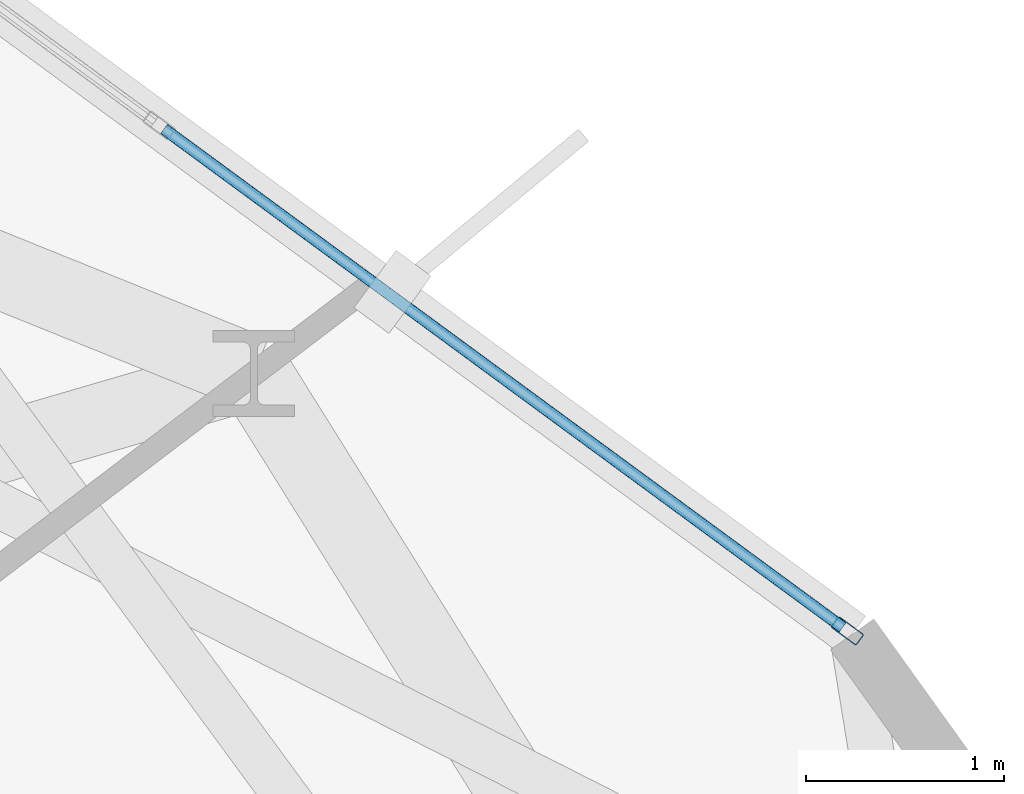
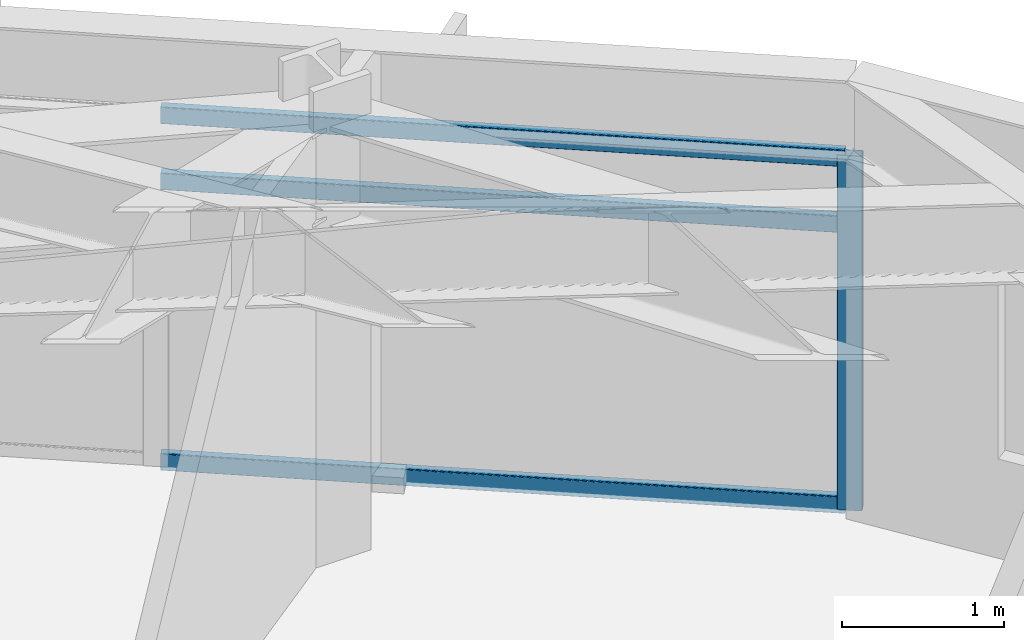
# One storey, part 15 of 24: 4 members, 1 element without a shape of its own.
"""IFC4 building model written with IfcOpenShell, lengths in metres."""

from ifc_helpers import new_model, si_unit, direction, frame, origin, origin_2d, place, context, subcontext, project, spatial, hollow_rectangle, extrude, material, layer, layer_set, material_profile, profile_set, type_object, element, aggregate, save


model = new_model("IFC4")

# Units and contexts
model_context = context("Model", 3, precision=1e-05, world=origin(), true_north=direction((0.0, 1.0)))
body_context = subcontext(model_context, "Body", "Model", "MODEL_VIEW")
ifc_project = project(units=[si_unit("LENGTHUNIT", "METRE"), si_unit("AREAUNIT", "SQUARE_METRE"), si_unit("VOLUMEUNIT", "CUBIC_METRE"), si_unit("PLANEANGLEUNIT", "RADIAN"), si_unit("MASSUNIT", "GRAM", prefix="KILO")], contexts=[model_context])

# Site, building, storey
site_placement = place(None, origin())
site = spatial("IfcSite", under=ifc_project, at=site_placement, CompositionType="ELEMENT")
building_placement = place(site_placement, origin())
building = spatial("IfcBuilding", under=site, at=building_placement, Name="Soratama Intermodal Tower", CompositionType="ELEMENT")
storey_placement = place(building_placement, frame((0.0, 0.0, 164.199951171875)))
storey = spatial("IfcBuildingStorey", under=building, at=storey_placement, Name="L40", CompositionType="ELEMENT", Elevation=164.199951171875)

# Curtain wall, members
ifc_material_1 = material(Name="Double-glazed aluminium curtain wall", Category="aluminium")
ifc_layer = layer(ifc_material_1, 0.159912109375)
ifc_layer_set = layer_set([ifc_layer], Name="Double-glazed aluminium curtain wall")
curtain_wall_type = type_object("IfcCurtainWallType", Name="CW-SYS-4", PredefinedType="NOTDEFINED", material=ifc_layer_set)
curtain_wall_placement = place(storey_placement, origin())
curtain_wall = element("IfcCurtainWall", 1, at=curtain_wall_placement, inside=storey, type_object=curtain_wall_type, Name="L40 Faceted Curtain Wall F01", PredefinedType="NOTDEFINED")
ifc_material_2 = material(Name="Anodised aluminium AA 6063-T6", Category="aluminium")
ifc_material_profile_1 = material_profile(ifc_material_2, hollow_rectangle(XDim=0.070068359375, YDim=0.159912109375, WallThickness=0.0048828125, InnerFilletRadius=0.0048828125, OuterFilletRadius=0.010009765625, at=origin_2d()), Name="CWM160X70X5")
ifc_profile_set_1 = profile_set([ifc_material_profile_1], Name="Anodised aluminium AA 6063-T6")
member_type_1 = type_object("IfcMemberType", Name="MT-CWM-4", PredefinedType="MULLION", material=ifc_profile_set_1)
member_1_placement = place(storey_placement, frame((59.252685546875, 37.103271484375, 0.0), z_axis=(0.0, 0.0, 1.0), x_axis=(-0.592015056017, -0.805926903291, 0.0)))
member_1 = element("IfcMember", 2, at=member_1_placement, type_object=member_type_1, Name="CW-4 mullion 1", PredefinedType="MULLION", context=body_context, shape_type="SweptSolid", body=[
    extrude(hollow_rectangle(XDim=0.070068359375, YDim=0.159912109375, WallThickness=0.0048828125, InnerFilletRadius=0.0048828125, OuterFilletRadius=0.010009765625, at=origin_2d()), origin(), (0.0, 0.0, 1.0), 2.678955078125),
])
ifc_material_3 = material(Name="Anodised aluminium AA 6063-T6", Category="aluminium")
ifc_material_profile_2 = material_profile(ifc_material_3, hollow_rectangle(XDim=0.06005859375, YDim=0.1298828125, WallThickness=0.0048828125, InnerFilletRadius=0.0048828125, OuterFilletRadius=0.010009765625, at=origin_2d()), Name="CWT130X60X5")
ifc_profile_set_2 = profile_set([ifc_material_profile_2], Name="Anodised aluminium AA 6063-T6")
member_type_2 = type_object("IfcMemberType", Name="TT-CWT-2", PredefinedType="USERDEFINED", material=ifc_profile_set_2)
member_2_placement = place(storey_placement, frame((59.228515625, 37.12109375, 0.030029296875), z_axis=(-0.805934809566, 0.59200429283, 0.0), x_axis=(-0.59200429283, -0.805934809566, 0.0)))
member_2 = element("IfcMember", 3, at=member_2_placement, type_object=member_type_2, Name="CW-4 transom 1.1", ObjectType="TRANSOM", PredefinedType="USERDEFINED", context=body_context, shape_type="SweptSolid", body=[
    extrude(hollow_rectangle(XDim=0.06005859375, YDim=0.1298828125, WallThickness=0.0048828125, InnerFilletRadius=0.0048828125, OuterFilletRadius=0.010009765625, at=origin_2d()), origin(), (0.0, 0.0, 1.0), 4.26123046875),
])
member_3_placement = place(storey_placement, frame((59.228515625, 37.12109375, 2.150146484375), z_axis=(-0.805934809566, 0.59200429283, 0.0), x_axis=(-0.59200429283, -0.805934809566, 0.0)))
member_3 = element("IfcMember", 4, at=member_3_placement, type_object=member_type_2, Name="CW-4 transom 1.2", ObjectType="TRANSOM", PredefinedType="USERDEFINED", context=body_context, shape_type="SweptSolid", body=[
    extrude(hollow_rectangle(XDim=0.06005859375, YDim=0.1298828125, WallThickness=0.0048828125, InnerFilletRadius=0.0048828125, OuterFilletRadius=0.010009765625, at=origin_2d()), origin(), (0.0, 0.0, 1.0), 4.26123046875),
])
member_4_placement = place(storey_placement, frame((59.228515625, 37.12109375, 2.649169921875), z_axis=(-0.805934809566, 0.59200429283, 0.0), x_axis=(-0.59200429283, -0.805934809566, 0.0)))
member_4 = element("IfcMember", 5, at=member_4_placement, type_object=member_type_2, Name="CW-4 transom 1.3", ObjectType="TRANSOM", PredefinedType="USERDEFINED", context=body_context, shape_type="SweptSolid", body=[
    extrude(hollow_rectangle(XDim=0.06005859375, YDim=0.1298828125, WallThickness=0.0048828125, InnerFilletRadius=0.0048828125, OuterFilletRadius=0.010009765625, at=origin_2d()), origin(), (0.0, 0.0, 1.0), 4.26123046875),
])
aggregate(curtain_wall, [member_1, member_2, member_3, member_4])

save(model, "model.ifc")
